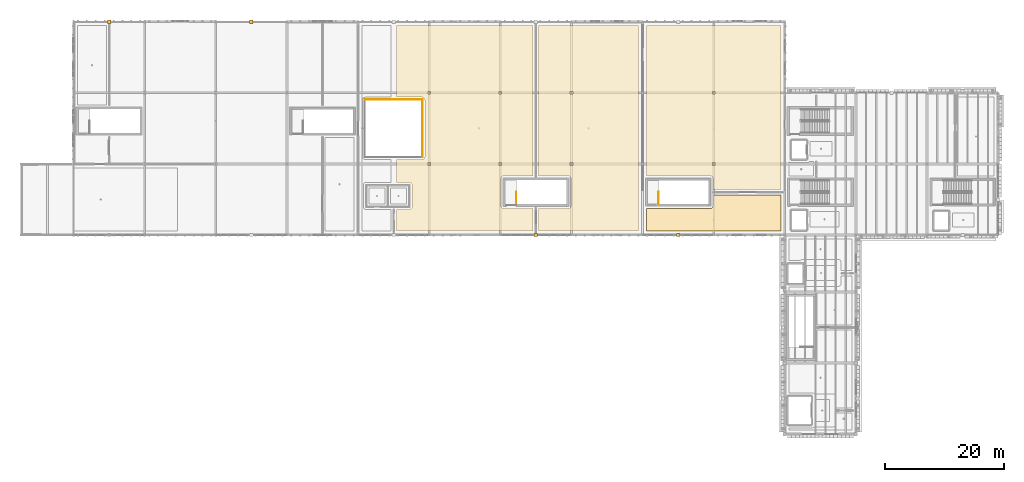
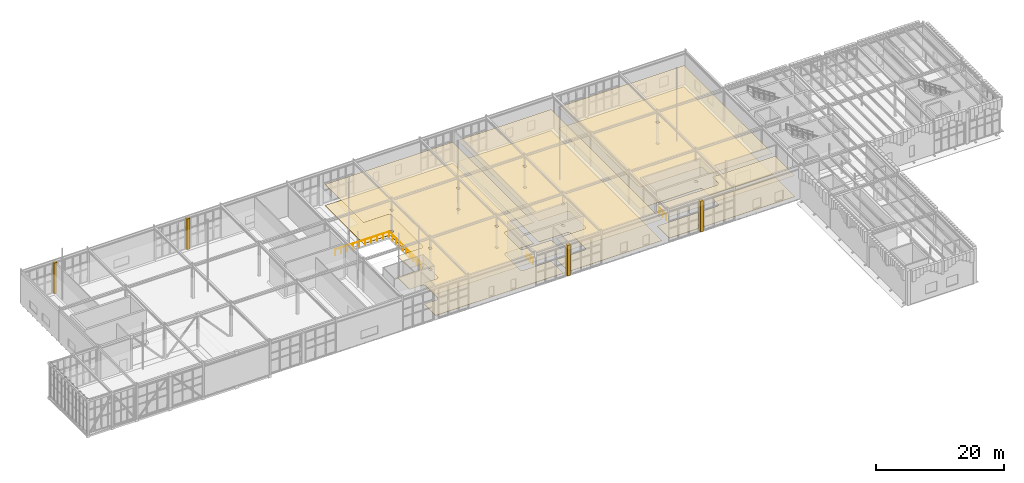
# One storey, part 54 of 62: 12 coverings, 4 railings.
"""IFC4 building model written with IfcOpenShell, lengths in metres."""

from ifc_helpers import new_model, si_unit, direction, frame, origin, origin_2d, place, context, subcontext, project, spatial, polyline, circle, outline, extrude, material, layer, layer_set, type_object, element, save


model = new_model("IFC4")

# Units and contexts
model_context = context("Model", 3, precision=1e-05, world=origin(), true_north=direction((0.0, 1.0)))
body_context = subcontext(model_context, "Body", "Model", "MODEL_VIEW")
ifc_project = project(units=[si_unit("LENGTHUNIT", "METRE"), si_unit("AREAUNIT", "SQUARE_METRE"), si_unit("VOLUMEUNIT", "CUBIC_METRE"), si_unit("PLANEANGLEUNIT", "RADIAN"), si_unit("MASSUNIT", "GRAM", prefix="KILO")], contexts=[model_context])

# Site, building, storey
site_placement = place(None, origin())
site = spatial("IfcSite", under=ifc_project, at=site_placement, CompositionType="ELEMENT")
building_placement = place(site_placement, origin())
building = spatial("IfcBuilding", under=site, at=building_placement, Name="Zlatogorsky Bluff Art Gallery", CompositionType="ELEMENT")
storey_placement = place(building_placement, frame((0.0, 0.0, 16.800048828125)))
storey = spatial("IfcBuildingStorey", under=building, at=storey_placement, Name="L03", CompositionType="ELEMENT", Elevation=16.800048828125)

# Coverings
ifc_material_1 = material(Name="Perforated Gypsum Acoustic Board", Category="gypsum")
ifc_layer_1 = layer(ifc_material_1, 0.0400390625)
ifc_layer_set_1 = layer_set([ifc_layer_1], Name="Acoustic Gallery Ceiling CLG-01")
covering_type_1 = type_object("IfcCoveringType", Name="Acoustic Gallery Ceiling CLG-01", PredefinedType="CEILING", material=ifc_layer_set_1)
covering_1_placement = place(storey_placement, frame((0.0, 0.0, 4.050048828125)))
element("IfcCovering", 1, at=covering_1_placement, inside=storey, type_object=covering_type_1, Name="Contemporary Sculpture Exhibition Hall acoustic ceiling", PredefinedType="CEILING", context=body_context, shape_type="SweptSolid", body=[
    extrude(outline(polyline([(54.449951171875, 88.300048828125), (56.64990234375, 88.300048828125), (56.694091796875, 88.30224609375), (56.73779296875, 88.30859375), (56.780517578125, 88.3193359375), (56.822265625, 88.334228515625), (56.862060546875, 88.35302734375), (56.89990234375, 88.375732421875), (56.935546875, 88.402099609375), (56.96826171875, 88.431884765625), (56.997802734375, 88.464599609375), (57.024169921875, 88.5), (57.046875, 88.537841796875), (57.065673828125, 88.577880859375), (57.08056640625, 88.619384765625), (57.09130859375, 88.662109375), (57.097900390625, 88.705810546875), (57.10009765625, 88.75), (57.10009765625, 92.449951171875), (57.097900390625, 92.494140625), (57.09130859375, 92.537841796875), (57.08056640625, 92.58056640625), (57.065673828125, 92.622314453125), (57.046875, 92.662109375), (57.024169921875, 92.699951171875), (56.997802734375, 92.735595703125), (56.96826171875, 92.768310546875), (56.935546875, 92.7978515625), (56.89990234375, 92.82421875), (56.862060546875, 92.846923828125), (56.822265625, 92.86572265625), (56.780517578125, 92.880615234375), (56.73779296875, 92.891357421875), (56.694091796875, 92.897705078125), (56.64990234375, 92.89990234375), (54.449951171875, 92.89990234375), (54.449951171875, 96.75), (58.800048828125, 96.75), (58.843994140625, 96.752197265625), (58.8876953125, 96.758544921875), (58.9306640625, 96.769287109375), (58.97216796875, 96.7841796875), (59.01220703125, 96.802978515625), (59.050048828125, 96.82568359375), (59.08544921875, 96.85205078125), (59.1181640625, 96.8818359375), (59.14794921875, 96.91455078125), (59.17431640625, 96.949951171875), (59.197021484375, 96.98779296875), (59.2158203125, 97.02783203125), (59.230712890625, 97.0693359375), (59.241455078125, 97.1123046875), (59.247802734375, 97.156005859375), (59.25, 97.199951171875), (59.25, 106.800048828125), (59.247802734375, 106.843994140625), (59.241455078125, 106.8876953125), (59.230712890625, 106.9306640625), (59.2158203125, 106.97216796875), (59.197021484375, 107.01220703125), (59.17431640625, 107.050048828125), (59.14794921875, 107.08544921875), (59.1181640625, 107.1181640625), (59.08544921875, 107.14794921875), (59.050048828125, 107.17431640625), (59.01220703125, 107.197021484375), (58.97216796875, 107.2158203125), (58.9306640625, 107.230712890625), (58.8876953125, 107.241455078125), (58.843994140625, 107.247802734375), (58.800048828125, 107.25), (54.449951171875, 107.25), (54.449951171875, 119.330078125), (77.550048828125, 119.330078125), (77.550048828125, 93.9599609375), (72.549072265625, 93.9599609375), (72.504638671875, 93.957763671875), (72.460693359375, 93.951416015625), (72.459716796875, 93.951171875), (72.450439453125, 93.94921875), (72.449462890625, 93.948974609375), (72.40625, 93.93701171875), (72.3642578125, 93.9208984375), (72.36328125, 93.92041015625), (72.362548828125, 93.919921875), (72.326904296875, 93.902099609375), (72.325927734375, 93.901611328125), (72.293701171875, 93.882080078125), (72.26318359375, 93.859619140625), (72.26171875, 93.8583984375), (72.224609375, 93.8251953125), (72.19140625, 93.7880859375), (72.190185546875, 93.78662109375), (72.16796875, 93.75634765625), (72.148193359375, 93.72412109375), (72.147705078125, 93.72314453125), (72.1298828125, 93.6875), (72.129150390625, 93.685791015625), (72.113037109375, 93.643798828125), (72.10107421875, 93.6005859375), (72.100830078125, 93.599609375), (72.098876953125, 93.59033203125), (72.0986328125, 93.58935546875), (72.09228515625, 93.54541015625), (72.090087890625, 93.5009765625), (72.090087890625, 88.948974609375), (72.09228515625, 88.90478515625), (72.0986328125, 88.860595703125), (72.098876953125, 88.859619140625), (72.100830078125, 88.850341796875), (72.10107421875, 88.849609375), (72.113037109375, 88.80615234375), (72.129150390625, 88.764404296875), (72.1298828125, 88.762451171875), (72.147705078125, 88.726806640625), (72.148193359375, 88.725830078125), (72.16796875, 88.693603515625), (72.190185546875, 88.663330078125), (72.19140625, 88.661865234375), (72.224609375, 88.624755859375), (72.26171875, 88.591552734375), (72.26318359375, 88.59033203125), (72.293701171875, 88.568115234375), (72.325927734375, 88.54833984375), (72.326904296875, 88.5478515625), (72.362548828125, 88.530029296875), (72.3642578125, 88.529296875), (72.40625, 88.512939453125), (72.449462890625, 88.501220703125), (72.450439453125, 88.5009765625), (72.459716796875, 88.498779296875), (72.460693359375, 88.498779296875), (72.504638671875, 88.4921875), (72.549072265625, 88.489990234375), (77.550048828125, 88.489990234375), (77.550048828125, 84.669921875), (54.449951171875, 84.669921875), (54.449951171875, 88.300048828125)]), holes=[polyline([(59.77001953125, 95.77001953125), (60.22998046875, 95.77001953125), (60.22998046875, 96.22998046875), (59.77001953125, 96.22998046875), (59.77001953125, 95.77001953125)]), polyline([(72.22998046875, 95.77001953125), (72.22998046875, 96.22998046875), (71.77001953125, 96.22998046875), (71.77001953125, 95.77001953125), (72.22998046875, 95.77001953125)]), polyline([(71.77001953125, 107.77001953125), (72.22998046875, 107.77001953125), (72.22998046875, 108.22998046875), (71.77001953125, 108.22998046875), (71.77001953125, 107.77001953125)]), polyline([(59.77001953125, 107.77001953125), (60.22998046875, 107.77001953125), (60.22998046875, 108.22998046875), (59.77001953125, 108.22998046875), (59.77001953125, 107.77001953125)])]), origin(), (0.0, 0.0, 1.0), 0.039794921875),
])
covering_2_placement = place(storey_placement, frame((0.0, 0.0, 4.050048828125)))
element("IfcCovering", 2, at=covering_2_placement, inside=storey, type_object=covering_type_1, Name="Contemporary Sculpture Exhibition Hall acoustic ceiling", PredefinedType="CEILING", context=body_context, shape_type="SweptSolid", body=[
    extrude(outline(polyline([(78.449951171875, 84.669921875), (78.449951171875, 88.489990234375), (83.450927734375, 88.489990234375), (83.495361328125, 88.4921875), (83.539306640625, 88.498779296875), (83.540283203125, 88.498779296875), (83.549560546875, 88.5009765625), (83.550537109375, 88.501220703125), (83.59375, 88.512939453125), (83.6357421875, 88.529296875), (83.637451171875, 88.530029296875), (83.673095703125, 88.5478515625), (83.674072265625, 88.54833984375), (83.706298828125, 88.568115234375), (83.73681640625, 88.59033203125), (83.73828125, 88.591552734375), (83.775390625, 88.624755859375), (83.80859375, 88.661865234375), (83.809814453125, 88.663330078125), (83.83203125, 88.693603515625), (83.851806640625, 88.725830078125), (83.852294921875, 88.726806640625), (83.8701171875, 88.762451171875), (83.870849609375, 88.764404296875), (83.886962890625, 88.80615234375), (83.89892578125, 88.849609375), (83.899169921875, 88.850341796875), (83.901123046875, 88.859619140625), (83.9013671875, 88.860595703125), (83.90771484375, 88.90478515625), (83.909912109375, 88.948974609375), (83.909912109375, 93.5009765625), (83.90771484375, 93.54541015625), (83.9013671875, 93.58935546875), (83.901123046875, 93.59033203125), (83.899169921875, 93.599609375), (83.89892578125, 93.6005859375), (83.886962890625, 93.643798828125), (83.870849609375, 93.685791015625), (83.8701171875, 93.6875), (83.852294921875, 93.72314453125), (83.851806640625, 93.72412109375), (83.83203125, 93.75634765625), (83.809814453125, 93.78662109375), (83.80859375, 93.7880859375), (83.775390625, 93.8251953125), (83.73828125, 93.8583984375), (83.73681640625, 93.859619140625), (83.706298828125, 93.882080078125), (83.674072265625, 93.901611328125), (83.673095703125, 93.902099609375), (83.637451171875, 93.919921875), (83.63671875, 93.92041015625), (83.6357421875, 93.9208984375), (83.59375, 93.93701171875), (83.550537109375, 93.948974609375), (83.549560546875, 93.94921875), (83.540283203125, 93.951171875), (83.539306640625, 93.951416015625), (83.495361328125, 93.957763671875), (83.450927734375, 93.9599609375), (78.449951171875, 93.9599609375), (78.449951171875, 119.330078125), (95.330078125, 119.330078125), (95.330078125, 84.669921875), (78.449951171875, 84.669921875)]), holes=[polyline([(83.77001953125, 95.77001953125), (84.22998046875, 95.77001953125), (84.22998046875, 96.22998046875), (83.77001953125, 96.22998046875), (83.77001953125, 95.77001953125)]), polyline([(83.77001953125, 107.77001953125), (84.22998046875, 107.77001953125), (84.22998046875, 108.22998046875), (83.77001953125, 108.22998046875), (83.77001953125, 107.77001953125)])]), origin(), (0.0, 0.0, 1.0), 0.039794921875),
])
covering_3_placement = place(storey_placement, frame((0.0, 0.0, 4.050048828125)))
element("IfcCovering", 3, at=covering_3_placement, inside=storey, type_object=covering_type_1, Name="Prints, Drawings and Calligraphy Cabinet acoustic ceiling", PredefinedType="CEILING", context=body_context, shape_type="SweptSolid", body=[
    extrude(outline(polyline([(107.450927734375, 88.489990234375), (107.495361328125, 88.4921875), (107.539306640625, 88.498779296875), (107.540283203125, 88.498779296875), (107.549560546875, 88.5009765625), (107.550537109375, 88.501220703125), (107.59375, 88.512939453125), (107.6357421875, 88.529296875), (107.637451171875, 88.530029296875), (107.673095703125, 88.5478515625), (107.674072265625, 88.54833984375), (107.706298828125, 88.568115234375), (107.73681640625, 88.59033203125), (107.73828125, 88.591552734375), (107.775390625, 88.624755859375), (107.80859375, 88.661865234375), (107.809814453125, 88.663330078125), (107.83203125, 88.693603515625), (107.851806640625, 88.725830078125), (107.852294921875, 88.726806640625), (107.8701171875, 88.762451171875), (107.870849609375, 88.764404296875), (107.886962890625, 88.80615234375), (107.89892578125, 88.849609375), (107.899169921875, 88.850341796875), (107.901123046875, 88.859619140625), (107.9013671875, 88.860595703125), (107.90771484375, 88.90478515625), (107.909912109375, 88.948974609375), (107.909912109375, 90.77490234375), (119.330078125, 90.77490234375), (119.330078125, 84.669921875), (96.669921875, 84.669921875), (96.669921875, 88.489990234375), (107.450927734375, 88.489990234375)])), origin(), (0.0, 0.0, 1.0), 0.039794921875),
])
covering_4_placement = place(storey_placement, frame((0.0, 0.0, 4.050048828125)))
element("IfcCovering", 4, at=covering_4_placement, inside=storey, type_object=covering_type_1, Name="Prints, Drawings and Calligraphy Cabinet acoustic ceiling", PredefinedType="CEILING", context=body_context, shape_type="SweptSolid", body=[
    extrude(outline(polyline([(96.669921875, 119.330078125), (119.330078125, 119.330078125), (119.330078125, 91.675048828125), (107.909912109375, 91.675048828125), (107.909912109375, 93.5009765625), (107.90771484375, 93.54541015625), (107.9013671875, 93.58935546875), (107.901123046875, 93.59033203125), (107.899169921875, 93.599609375), (107.89892578125, 93.6005859375), (107.886962890625, 93.643798828125), (107.870849609375, 93.685791015625), (107.8701171875, 93.6875), (107.852294921875, 93.72314453125), (107.851806640625, 93.72412109375), (107.83203125, 93.75634765625), (107.809814453125, 93.78662109375), (107.80859375, 93.7880859375), (107.775390625, 93.8251953125), (107.73828125, 93.8583984375), (107.73681640625, 93.859619140625), (107.706298828125, 93.882080078125), (107.674072265625, 93.901611328125), (107.673095703125, 93.902099609375), (107.637451171875, 93.919921875), (107.63671875, 93.92041015625), (107.6357421875, 93.9208984375), (107.59375, 93.93701171875), (107.550537109375, 93.948974609375), (107.549560546875, 93.94921875), (107.540283203125, 93.951171875), (107.539306640625, 93.951416015625), (107.495361328125, 93.957763671875), (107.450927734375, 93.9599609375), (96.669921875, 93.9599609375), (96.669921875, 119.330078125)]), holes=[polyline([(107.77001953125, 95.77001953125), (108.22998046875, 95.77001953125), (108.22998046875, 96.22998046875), (107.77001953125, 96.22998046875), (107.77001953125, 95.77001953125)]), polyline([(107.77001953125, 107.77001953125), (108.22998046875, 107.77001953125), (108.22998046875, 108.22998046875), (107.77001953125, 108.22998046875), (107.77001953125, 107.77001953125)])]), origin(), (0.0, 0.0, 1.0), 0.039794921875),
])
ifc_material_2 = material(Name="Honed Red Agra-Tone Quartzitic Sandstone", Category="masonry")
ifc_layer_2 = layer(ifc_material_2, 0.1201171875)
ifc_layer_set_2 = layer_set([ifc_layer_2], Name="Carved Sandstone Cladding CLD-02")
covering_type_2 = type_object("IfcCoveringType", Name="Carved Sandstone Cladding CLD-02", PredefinedType="CLADDING", material=ifc_layer_set_2)
covering_5_placement = place(storey_placement, frame((0.0, 0.0, -0.030029296875)))
element("IfcCovering", 5, at=covering_5_placement, inside=storey, type_object=covering_type_2, Name="Mughal dalan central sandstone pier L03 N 0.10", PredefinedType="CLADDING", context=body_context, shape_type="SweptSolid", body=[
    extrude(outline(polyline([(5.719970703125, 119.719970703125), (6.280029296875, 119.719970703125), (6.280029296875, 120.280029296875), (5.719970703125, 120.280029296875), (5.719970703125, 119.719970703125)])), origin(), (0.0, 0.0, 1.0), 5.8798828125),
])
covering_6_placement = place(storey_placement, frame((0.0, 0.0, -0.030029296875)))
element("IfcCovering", 6, at=covering_6_placement, inside=storey, type_object=covering_type_2, Name="Mughal dalan central sandstone pier L03 N 2.10", PredefinedType="CLADDING", context=body_context, shape_type="SweptSolid", body=[
    extrude(outline(polyline([(29.719970703125, 119.719970703125), (30.280029296875, 119.719970703125), (30.280029296875, 120.280029296875), (29.719970703125, 120.280029296875), (29.719970703125, 119.719970703125)])), origin(), (0.0, 0.0, 1.0), 5.8798828125),
])
covering_7_placement = place(storey_placement, frame((0.0, 0.0, -0.030029296875)))
element("IfcCovering", 7, at=covering_7_placement, inside=storey, type_object=covering_type_2, Name="Mughal dalan central sandstone pier L03 S 6.8", PredefinedType="CLADDING", context=body_context, shape_type="SweptSolid", body=[
    extrude(outline(polyline([(77.719970703125, 83.719970703125), (78.280029296875, 83.719970703125), (78.280029296875, 84.280029296875), (77.719970703125, 84.280029296875), (77.719970703125, 83.719970703125)])), origin(), (0.0, 0.0, 1.0), 5.8798828125),
])
covering_8_placement = place(storey_placement, frame((0.0, 0.0, -0.030029296875)))
element("IfcCovering", 8, at=covering_8_placement, inside=storey, type_object=covering_type_2, Name="Mughal dalan central sandstone pier L03 S 8.8", PredefinedType="CLADDING", context=body_context, shape_type="SweptSolid", body=[
    extrude(outline(polyline([(101.719970703125, 83.719970703125), (102.280029296875, 83.719970703125), (102.280029296875, 84.280029296875), (101.719970703125, 84.280029296875), (101.719970703125, 83.719970703125)])), origin(), (0.0, 0.0, 1.0), 5.8798828125),
])

# Railings
ifc_material_3 = material(Name="Architectural Bronze and Laminated Glass", Category="glass")
railing_type = type_object("IfcRailingType", Name="Gallery Guard Rail 1100mm", PredefinedType="GUARDRAIL", material=ifc_material_3)
for number, where, name in (
    (9, (98.699951171875, 89.199951171875, 0.0), "L03 ST-01 top well guard 1"),
    (10, (74.699951171875, 89.199951171875, 0.0), "L03 ST-08 top well guard 1"),
):
    element("IfcRailing", number, at=place(storey_placement, frame(where)), inside=storey, type_object=railing_type, Name=name, PredefinedType="GUARDRAIL", context=body_context, shape_type="SweptSolid", body=[
        extrude(circle(Radius=0.02392578125, at=origin_2d()), frame((0.0, 0.0, 1.076171875), z_axis=(0.0, 1.0, 0.0), x_axis=(-1.0, 0.0, 0.0)), (0.0, 0.0, 1.0), 2.10009765625),
        extrude(circle(Radius=0.02099609375, at=origin_2d()), origin(), (0.0, 0.0, 1.0), 1.052001953125),
        extrude(circle(Radius=0.02099609375, at=origin_2d()), frame((0.0, 1.050048828125, 0.0)), (0.0, 0.0, 1.0), 1.052001953125),
        extrude(circle(Radius=0.02099609375, at=origin_2d()), frame((0.0, 2.10009765625, 0.0)), (0.0, 0.0, 1.0), 1.052001953125),
    ])
railing_1_placement = place(storey_placement, frame((58.8798828125, 97.1201171875, 0.0)))
element("IfcRailing", 11, at=railing_1_placement, inside=storey, type_object=railing_type, Name="L03 atrium void guard 4.9.E", PredefinedType="GUARDRAIL", context=body_context, shape_type="SweptSolid", body=[
    extrude(circle(Radius=0.02392578125, at=origin_2d()), frame((0.0, 0.0, 1.076171875), z_axis=(0.0, 1.0, 0.0), x_axis=(-1.0, 0.0, 0.0)), (0.0, 0.0, 1.0), 9.759765625),
    extrude(circle(Radius=0.02099609375, at=origin_2d()), origin(), (0.0, 0.0, 1.0), 1.052001953125),
    extrude(circle(Radius=0.02099609375, at=origin_2d()), frame((0.0, 1.08447265625, 0.0)), (0.0, 0.0, 1.0), 1.052001953125),
    extrude(circle(Radius=0.02099609375, at=origin_2d()), frame((0.0, 2.1689453125, 0.0)), (0.0, 0.0, 1.0), 1.052001953125),
    extrude(circle(Radius=0.02099609375, at=origin_2d()), frame((0.0, 3.253173828125, 0.0)), (0.0, 0.0, 1.0), 1.052001953125),
    extrude(circle(Radius=0.02099609375, at=origin_2d()), frame((0.0, 4.337646484375, 0.0)), (0.0, 0.0, 1.0), 1.052001953125),
    extrude(circle(Radius=0.02099609375, at=origin_2d()), frame((0.0, 5.422119140625, 0.0)), (0.0, 0.0, 1.0), 1.052001953125),
    extrude(circle(Radius=0.02099609375, at=origin_2d()), frame((0.0, 6.506591796875, 0.0)), (0.0, 0.0, 1.0), 1.052001953125),
    extrude(circle(Radius=0.02099609375, at=origin_2d()), frame((0.0, 7.5908203125, 0.0)), (0.0, 0.0, 1.0), 1.052001953125),
    extrude(circle(Radius=0.02099609375, at=origin_2d()), frame((0.0, 8.67529296875, 0.0)), (0.0, 0.0, 1.0), 1.052001953125),
    extrude(circle(Radius=0.02099609375, at=origin_2d()), frame((0.0, 9.759765625, 0.0)), (0.0, 0.0, 1.0), 1.052001953125),
])
railing_2_placement = place(storey_placement, frame((58.8798828125, 106.8798828125, 0.0)))
element("IfcRailing", 12, at=railing_2_placement, inside=storey, type_object=railing_type, Name="L03 atrium void guard 4.9.N", PredefinedType="GUARDRAIL", context=body_context, shape_type="SweptSolid", body=[
    extrude(circle(Radius=0.02392578125, at=origin_2d()), frame((0.0, 0.0, 1.076171875), z_axis=(-1.0, 0.0, 0.0), x_axis=(0.0, -1.0, 0.0)), (0.0, 0.0, 1.0), 9.759765625),
    extrude(circle(Radius=0.02099609375, at=origin_2d()), origin(), (0.0, 0.0, 1.0), 1.052001953125),
    extrude(circle(Radius=0.02099609375, at=origin_2d()), frame((-1.08447265625, 0.0, 0.0)), (0.0, 0.0, 1.0), 1.052001953125),
    extrude(circle(Radius=0.02099609375, at=origin_2d()), frame((-2.1689453125, 0.0, 0.0)), (0.0, 0.0, 1.0), 1.052001953125),
    extrude(circle(Radius=0.02099609375, at=origin_2d()), frame((-3.253173828125, 0.0, 0.0)), (0.0, 0.0, 1.0), 1.052001953125),
    extrude(circle(Radius=0.02099609375, at=origin_2d()), frame((-4.337646484375, 0.0, 0.0)), (0.0, 0.0, 1.0), 1.052001953125),
    extrude(circle(Radius=0.02099609375, at=origin_2d()), frame((-5.422119140625, 0.0, 0.0)), (0.0, 0.0, 1.0), 1.052001953125),
    extrude(circle(Radius=0.02099609375, at=origin_2d()), frame((-6.506591796875, 0.0, 0.0)), (0.0, 0.0, 1.0), 1.052001953125),
    extrude(circle(Radius=0.02099609375, at=origin_2d()), frame((-7.5908203125, 0.0, 0.0)), (0.0, 0.0, 1.0), 1.052001953125),
    extrude(circle(Radius=0.02099609375, at=origin_2d()), frame((-8.67529296875, 0.0, 0.0)), (0.0, 0.0, 1.0), 1.052001953125),
    extrude(circle(Radius=0.02099609375, at=origin_2d()), frame((-9.759765625, 0.0, 0.0)), (0.0, 0.0, 1.0), 1.052001953125),
])

# Coverings
ifc_material_4 = material(Name="Polished Ural Marble Terrazzo", Category="masonry")
ifc_layer_3 = layer(ifc_material_4, 0.050048828125)
ifc_layer_set_3 = layer_set([ifc_layer_3], Name="Terrazzo Gallery Flooring FLR-01")
covering_type_3 = type_object("IfcCoveringType", Name="Terrazzo Gallery Flooring FLR-01", PredefinedType="FLOORING", material=ifc_layer_set_3)
covering_9_placement = place(storey_placement, origin())
element("IfcCovering", 13, at=covering_9_placement, inside=storey, type_object=covering_type_3, Name="Contemporary Sculpture Exhibition Hall terrazzo floor finish", PredefinedType="FLOORING", context=body_context, shape_type="SweptSolid", body=[
    extrude(outline(polyline([(54.449951171875, 88.300048828125), (56.64990234375, 88.300048828125), (56.694091796875, 88.30224609375), (56.73779296875, 88.30859375), (56.780517578125, 88.3193359375), (56.822265625, 88.334228515625), (56.862060546875, 88.35302734375), (56.89990234375, 88.375732421875), (56.935546875, 88.402099609375), (56.96826171875, 88.431884765625), (56.997802734375, 88.464599609375), (57.024169921875, 88.5), (57.046875, 88.537841796875), (57.065673828125, 88.577880859375), (57.08056640625, 88.619384765625), (57.09130859375, 88.662109375), (57.097900390625, 88.705810546875), (57.10009765625, 88.75), (57.10009765625, 92.449951171875), (57.097900390625, 92.494140625), (57.09130859375, 92.537841796875), (57.08056640625, 92.58056640625), (57.065673828125, 92.622314453125), (57.046875, 92.662109375), (57.024169921875, 92.699951171875), (56.997802734375, 92.735595703125), (56.96826171875, 92.768310546875), (56.935546875, 92.7978515625), (56.89990234375, 92.82421875), (56.862060546875, 92.846923828125), (56.822265625, 92.86572265625), (56.780517578125, 92.880615234375), (56.73779296875, 92.891357421875), (56.694091796875, 92.897705078125), (56.64990234375, 92.89990234375), (54.449951171875, 92.89990234375), (54.449951171875, 96.75), (58.800048828125, 96.75), (58.843994140625, 96.752197265625), (58.8876953125, 96.758544921875), (58.9306640625, 96.769287109375), (58.97216796875, 96.7841796875), (59.01220703125, 96.802978515625), (59.050048828125, 96.82568359375), (59.08544921875, 96.85205078125), (59.1181640625, 96.8818359375), (59.14794921875, 96.91455078125), (59.17431640625, 96.949951171875), (59.197021484375, 96.98779296875), (59.2158203125, 97.02783203125), (59.230712890625, 97.0693359375), (59.241455078125, 97.1123046875), (59.247802734375, 97.156005859375), (59.25, 97.199951171875), (59.25, 106.800048828125), (59.247802734375, 106.843994140625), (59.241455078125, 106.8876953125), (59.230712890625, 106.9306640625), (59.2158203125, 106.97216796875), (59.197021484375, 107.01220703125), (59.17431640625, 107.050048828125), (59.14794921875, 107.08544921875), (59.1181640625, 107.1181640625), (59.08544921875, 107.14794921875), (59.050048828125, 107.17431640625), (59.01220703125, 107.197021484375), (58.97216796875, 107.2158203125), (58.9306640625, 107.230712890625), (58.8876953125, 107.241455078125), (58.843994140625, 107.247802734375), (58.800048828125, 107.25), (54.449951171875, 107.25), (54.449951171875, 119.330078125), (77.550048828125, 119.330078125), (77.550048828125, 93.9599609375), (72.549072265625, 93.9599609375), (72.504638671875, 93.957763671875), (72.460693359375, 93.951416015625), (72.459716796875, 93.951171875), (72.450439453125, 93.94921875), (72.449462890625, 93.948974609375), (72.40625, 93.93701171875), (72.3642578125, 93.9208984375), (72.36328125, 93.92041015625), (72.362548828125, 93.919921875), (72.326904296875, 93.902099609375), (72.325927734375, 93.901611328125), (72.293701171875, 93.882080078125), (72.26318359375, 93.859619140625), (72.26171875, 93.8583984375), (72.224609375, 93.8251953125), (72.19140625, 93.7880859375), (72.190185546875, 93.78662109375), (72.16796875, 93.75634765625), (72.148193359375, 93.72412109375), (72.147705078125, 93.72314453125), (72.1298828125, 93.6875), (72.129150390625, 93.685791015625), (72.113037109375, 93.643798828125), (72.10107421875, 93.6005859375), (72.100830078125, 93.599609375), (72.098876953125, 93.59033203125), (72.0986328125, 93.58935546875), (72.09228515625, 93.54541015625), (72.090087890625, 93.5009765625), (72.090087890625, 88.948974609375), (72.09228515625, 88.90478515625), (72.0986328125, 88.860595703125), (72.098876953125, 88.859619140625), (72.100830078125, 88.850341796875), (72.10107421875, 88.849609375), (72.113037109375, 88.80615234375), (72.129150390625, 88.764404296875), (72.1298828125, 88.762451171875), (72.147705078125, 88.726806640625), (72.148193359375, 88.725830078125), (72.16796875, 88.693603515625), (72.190185546875, 88.663330078125), (72.19140625, 88.661865234375), (72.224609375, 88.624755859375), (72.26171875, 88.591552734375), (72.26318359375, 88.59033203125), (72.293701171875, 88.568115234375), (72.325927734375, 88.54833984375), (72.326904296875, 88.5478515625), (72.362548828125, 88.530029296875), (72.3642578125, 88.529296875), (72.40625, 88.512939453125), (72.449462890625, 88.501220703125), (72.450439453125, 88.5009765625), (72.459716796875, 88.498779296875), (72.460693359375, 88.498779296875), (72.504638671875, 88.4921875), (72.549072265625, 88.489990234375), (77.550048828125, 88.489990234375), (77.550048828125, 84.669921875), (54.449951171875, 84.669921875), (54.449951171875, 88.300048828125)]), holes=[polyline([(59.77001953125, 95.77001953125), (60.22998046875, 95.77001953125), (60.22998046875, 96.22998046875), (59.77001953125, 96.22998046875), (59.77001953125, 95.77001953125)]), polyline([(72.22998046875, 95.77001953125), (72.22998046875, 96.22998046875), (71.77001953125, 96.22998046875), (71.77001953125, 95.77001953125), (72.22998046875, 95.77001953125)]), polyline([(71.77001953125, 107.77001953125), (72.22998046875, 107.77001953125), (72.22998046875, 108.22998046875), (71.77001953125, 108.22998046875), (71.77001953125, 107.77001953125)]), polyline([(59.77001953125, 107.77001953125), (60.22998046875, 107.77001953125), (60.22998046875, 108.22998046875), (59.77001953125, 108.22998046875), (59.77001953125, 107.77001953125)])]), origin(), (0.0, 0.0, 1.0), 0.050048828125),
])
covering_10_placement = place(storey_placement, origin())
element("IfcCovering", 14, at=covering_10_placement, inside=storey, type_object=covering_type_3, Name="Contemporary Sculpture Exhibition Hall terrazzo floor finish", PredefinedType="FLOORING", context=body_context, shape_type="SweptSolid", body=[
    extrude(outline(polyline([(78.449951171875, 84.669921875), (78.449951171875, 88.489990234375), (83.450927734375, 88.489990234375), (83.495361328125, 88.4921875), (83.539306640625, 88.498779296875), (83.540283203125, 88.498779296875), (83.549560546875, 88.5009765625), (83.550537109375, 88.501220703125), (83.59375, 88.512939453125), (83.6357421875, 88.529296875), (83.637451171875, 88.530029296875), (83.673095703125, 88.5478515625), (83.674072265625, 88.54833984375), (83.706298828125, 88.568115234375), (83.73681640625, 88.59033203125), (83.73828125, 88.591552734375), (83.775390625, 88.624755859375), (83.80859375, 88.661865234375), (83.809814453125, 88.663330078125), (83.83203125, 88.693603515625), (83.851806640625, 88.725830078125), (83.852294921875, 88.726806640625), (83.8701171875, 88.762451171875), (83.870849609375, 88.764404296875), (83.886962890625, 88.80615234375), (83.89892578125, 88.849609375), (83.899169921875, 88.850341796875), (83.901123046875, 88.859619140625), (83.9013671875, 88.860595703125), (83.90771484375, 88.90478515625), (83.909912109375, 88.948974609375), (83.909912109375, 93.5009765625), (83.90771484375, 93.54541015625), (83.9013671875, 93.58935546875), (83.901123046875, 93.59033203125), (83.899169921875, 93.599609375), (83.89892578125, 93.6005859375), (83.886962890625, 93.643798828125), (83.870849609375, 93.685791015625), (83.8701171875, 93.6875), (83.852294921875, 93.72314453125), (83.851806640625, 93.72412109375), (83.83203125, 93.75634765625), (83.809814453125, 93.78662109375), (83.80859375, 93.7880859375), (83.775390625, 93.8251953125), (83.73828125, 93.8583984375), (83.73681640625, 93.859619140625), (83.706298828125, 93.882080078125), (83.674072265625, 93.901611328125), (83.673095703125, 93.902099609375), (83.637451171875, 93.919921875), (83.63671875, 93.92041015625), (83.6357421875, 93.9208984375), (83.59375, 93.93701171875), (83.550537109375, 93.948974609375), (83.549560546875, 93.94921875), (83.540283203125, 93.951171875), (83.539306640625, 93.951416015625), (83.495361328125, 93.957763671875), (83.450927734375, 93.9599609375), (78.449951171875, 93.9599609375), (78.449951171875, 119.330078125), (95.330078125, 119.330078125), (95.330078125, 84.669921875), (78.449951171875, 84.669921875)]), holes=[polyline([(83.77001953125, 95.77001953125), (84.22998046875, 95.77001953125), (84.22998046875, 96.22998046875), (83.77001953125, 96.22998046875), (83.77001953125, 95.77001953125)]), polyline([(83.77001953125, 107.77001953125), (84.22998046875, 107.77001953125), (84.22998046875, 108.22998046875), (83.77001953125, 108.22998046875), (83.77001953125, 107.77001953125)])]), origin(), (0.0, 0.0, 1.0), 0.050048828125),
])
covering_11_placement = place(storey_placement, origin())
element("IfcCovering", 15, at=covering_11_placement, inside=storey, type_object=covering_type_3, Name="Prints, Drawings and Calligraphy Cabinet terrazzo floor finish", PredefinedType="FLOORING", context=body_context, shape_type="SweptSolid", body=[
    extrude(outline(polyline([(107.450927734375, 88.489990234375), (107.495361328125, 88.4921875), (107.539306640625, 88.498779296875), (107.540283203125, 88.498779296875), (107.549560546875, 88.5009765625), (107.550537109375, 88.501220703125), (107.59375, 88.512939453125), (107.6357421875, 88.529296875), (107.637451171875, 88.530029296875), (107.673095703125, 88.5478515625), (107.674072265625, 88.54833984375), (107.706298828125, 88.568115234375), (107.73681640625, 88.59033203125), (107.73828125, 88.591552734375), (107.775390625, 88.624755859375), (107.80859375, 88.661865234375), (107.809814453125, 88.663330078125), (107.83203125, 88.693603515625), (107.851806640625, 88.725830078125), (107.852294921875, 88.726806640625), (107.8701171875, 88.762451171875), (107.870849609375, 88.764404296875), (107.886962890625, 88.80615234375), (107.89892578125, 88.849609375), (107.899169921875, 88.850341796875), (107.901123046875, 88.859619140625), (107.9013671875, 88.860595703125), (107.90771484375, 88.90478515625), (107.909912109375, 88.948974609375), (107.909912109375, 90.77490234375), (119.330078125, 90.77490234375), (119.330078125, 84.669921875), (96.669921875, 84.669921875), (96.669921875, 88.489990234375), (107.450927734375, 88.489990234375)])), origin(), (0.0, 0.0, 1.0), 0.050048828125),
])
covering_12_placement = place(storey_placement, origin())
element("IfcCovering", 16, at=covering_12_placement, inside=storey, type_object=covering_type_3, Name="Prints, Drawings and Calligraphy Cabinet terrazzo floor finish", PredefinedType="FLOORING", context=body_context, shape_type="SweptSolid", body=[
    extrude(outline(polyline([(96.669921875, 119.330078125), (119.330078125, 119.330078125), (119.330078125, 91.675048828125), (107.909912109375, 91.675048828125), (107.909912109375, 93.5009765625), (107.90771484375, 93.54541015625), (107.9013671875, 93.58935546875), (107.901123046875, 93.59033203125), (107.899169921875, 93.599609375), (107.89892578125, 93.6005859375), (107.886962890625, 93.643798828125), (107.870849609375, 93.685791015625), (107.8701171875, 93.6875), (107.852294921875, 93.72314453125), (107.851806640625, 93.72412109375), (107.83203125, 93.75634765625), (107.809814453125, 93.78662109375), (107.80859375, 93.7880859375), (107.775390625, 93.8251953125), (107.73828125, 93.8583984375), (107.73681640625, 93.859619140625), (107.706298828125, 93.882080078125), (107.674072265625, 93.901611328125), (107.673095703125, 93.902099609375), (107.637451171875, 93.919921875), (107.63671875, 93.92041015625), (107.6357421875, 93.9208984375), (107.59375, 93.93701171875), (107.550537109375, 93.948974609375), (107.549560546875, 93.94921875), (107.540283203125, 93.951171875), (107.539306640625, 93.951416015625), (107.495361328125, 93.957763671875), (107.450927734375, 93.9599609375), (96.669921875, 93.9599609375), (96.669921875, 119.330078125)]), holes=[polyline([(107.77001953125, 95.77001953125), (108.22998046875, 95.77001953125), (108.22998046875, 96.22998046875), (107.77001953125, 96.22998046875), (107.77001953125, 95.77001953125)]), polyline([(107.77001953125, 107.77001953125), (108.22998046875, 107.77001953125), (108.22998046875, 108.22998046875), (107.77001953125, 108.22998046875), (107.77001953125, 107.77001953125)])]), origin(), (0.0, 0.0, 1.0), 0.050048828125),
])

save(model, "model.ifc")
